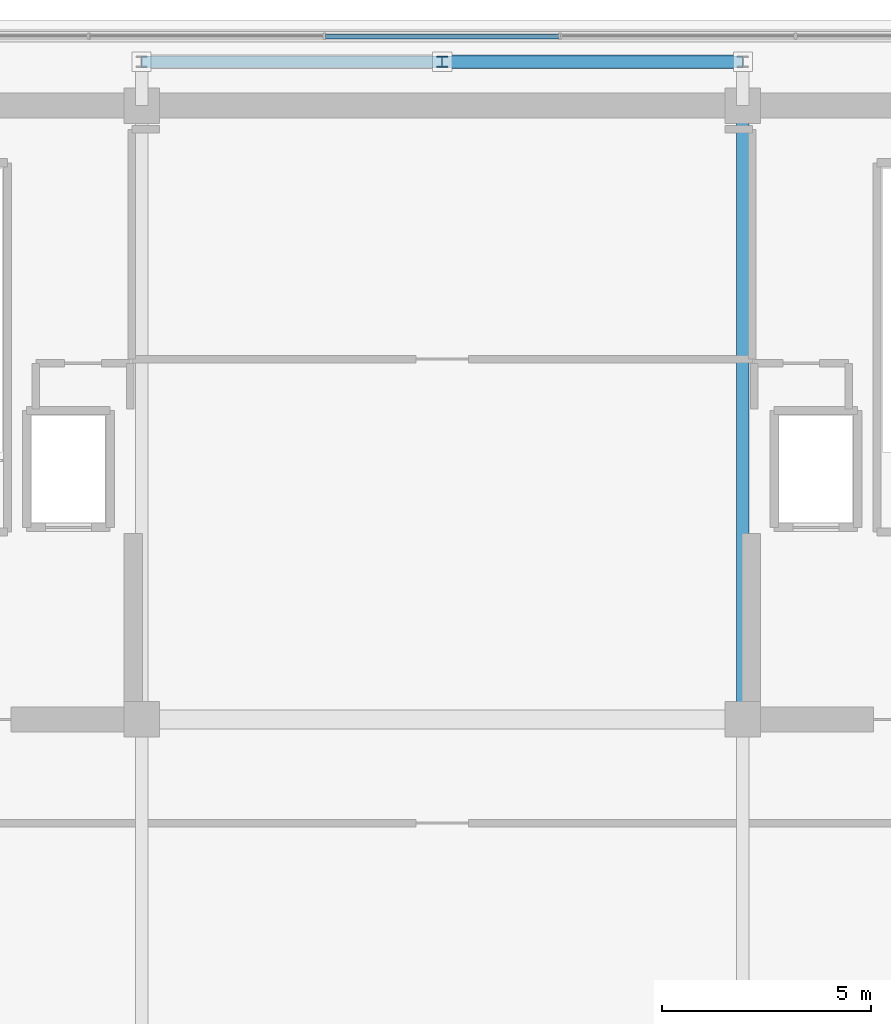
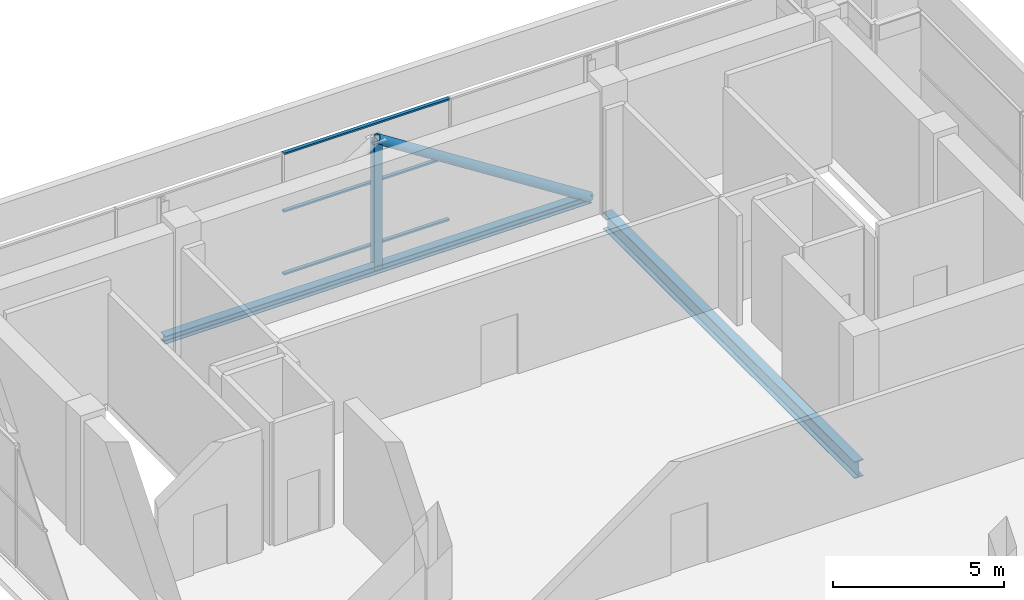
# One storey, part 15 of 22: 5 members, 2 beams, 1 element without a shape of its own.
"""IFC4 building model written with IfcOpenShell, lengths in metres."""

from ifc_helpers import new_model, si_unit, direction, frame, origin, origin_2d, place, context, subcontext, project, spatial, hollow_rectangle, hollow_circle, i_section, extrude, source, transform, mapped, material, layer, layer_set, material_profile, profile_set, type_object, element, aggregate, save


model = new_model("IFC4")

# Units and contexts
model_context = context("Model", 3, precision=1e-05, world=origin(), true_north=direction((0.0, 1.0)))
body_context = subcontext(model_context, "Body", "Model", "MODEL_VIEW")
ifc_project = project(units=[si_unit("LENGTHUNIT", "METRE"), si_unit("AREAUNIT", "SQUARE_METRE"), si_unit("VOLUMEUNIT", "CUBIC_METRE"), si_unit("PLANEANGLEUNIT", "RADIAN"), si_unit("MASSUNIT", "GRAM", prefix="KILO")], contexts=[model_context])

# Site, building, storey
site_placement = place(None, origin())
site = spatial("IfcSite", under=ifc_project, at=site_placement, CompositionType="ELEMENT")
building_placement = place(site_placement, origin())
building = spatial("IfcBuilding", under=site, at=building_placement, Name="Zarnakvel Exchange Tower", CompositionType="ELEMENT")
storey_placement = place(building_placement, frame((0.0, 0.0, 299.199951171875)))
storey = spatial("IfcBuildingStorey", under=building, at=storey_placement, Name="Crown L83", CompositionType="ELEMENT", Elevation=299.199951171875)

# Beams
ifc_material_1 = material(Name="Steel S355", Category="steel")
ifc_material_profile_1 = material_profile(ifc_material_1, i_section(OverallWidth=0.300048828125, OverallDepth=0.60009765625, WebThickness=0.015380859375, FlangeThickness=0.030029296875, FilletRadius=0.027099609375, at=origin_2d()))
ifc_profile_set_1 = profile_set([ifc_material_profile_1], Name="Steel S355")
beam_type_1 = type_object("IfcBeamType", Name="G-04", PredefinedType="BEAM", material=ifc_profile_set_1)
beam_1_placement = place(storey_placement, frame((7.199951171875, -1.199951171875, -0.52001953125), z_axis=(0.0, 1.0, 0.0), x_axis=(-1.0, 0.0, 0.0)))
element("IfcBeam", 1, at=beam_1_placement, inside=storey, type_object=beam_type_1, Name="Crown L83 Tower N-S Frame Beam", PredefinedType="BEAM", context=body_context, shape_type="SweptSolid", body=[
    extrude(i_section(OverallWidth=0.300048828125, OverallDepth=0.60009765625, WebThickness=0.015380859375, FlangeThickness=0.030029296875, FilletRadius=0.027099609375, at=origin_2d()), origin(), (0.0, 0.0, 1.0), 14.699951171875),
])
ifc_material_profile_2 = material_profile(ifc_material_1, i_section(OverallWidth=0.280029296875, OverallDepth=0.280029296875, WebThickness=0.010498046875, FlangeThickness=0.01806640625, FilletRadius=0.02392578125, at=origin_2d()))
ifc_profile_set_2 = profile_set([ifc_material_profile_2], Name="Steel S355")
beam_type_2 = type_object("IfcBeamType", Name="SP-04", PredefinedType="SPANDREL", material=ifc_profile_set_2)
beam_2_placement = place(storey_placement, frame((-7.199951171875, 14.550048828125, -0.35986328125), z_axis=(1.0, 0.0, 0.0), x_axis=(0.0, 1.0, 0.0)))
element("IfcBeam", 2, at=beam_2_placement, inside=storey, type_object=beam_type_2, Name="Crown L83 Tower E-W Frame Beam", PredefinedType="SPANDREL", context=body_context, shape_type="SweptSolid", body=[
    extrude(i_section(OverallWidth=0.280029296875, OverallDepth=0.280029296875, WebThickness=0.010498046875, FlangeThickness=0.01806640625, FilletRadius=0.02392578125, at=origin_2d()), origin(), (0.0, 0.0, 1.0), 14.39990234375),
])

# Members
ifc_material_profile_3 = material_profile(ifc_material_1, hollow_circle(Radius=0.161865234375, WallThickness=0.01611328125, at=origin_2d()))
ifc_profile_set_3 = profile_set([ifc_material_profile_3], Name="Steel S355")
member_type_1 = type_object("IfcMemberType", Name="CF-03", PredefinedType="BRACE", material=ifc_profile_set_3)
shared_shape_1 = source(origin(), body_context, "Body", "SweptSolid", [
    extrude(hollow_circle(Radius=0.161865234375, WallThickness=0.01611328125, at=origin_2d()), origin(), (0.0, 0.0, 1.0), 8.5439453125),
])
member_1_placement = place(storey_placement, frame((7.199951171875, 14.550048828125, -0.35986328125), z_axis=(-0.842702381832, 0.0, 0.53837969469), x_axis=(0.0, -1.0, 0.0)))
element("IfcMember", 3, at=member_1_placement, inside=storey, type_object=member_type_1, Name="Crown L83 Crown Chevron Brace R (CF-03)", PredefinedType="BRACE", context=body_context, shape_type="MappedRepresentation", body=[
    mapped(shared_shape_1, transform((0.0, 0.0, 0.0), x_axis=(1.0, 0.0, 0.0), y_axis=(0.0, 1.0, 0.0), z_axis=(0.0, 0.0, 1.0), scale=1.0)),
])
ifc_material_profile_4 = material_profile(ifc_material_1, i_section(OverallWidth=0.25634765625, OverallDepth=0.26025390625, WebThickness=0.01025390625, FlangeThickness=0.017333984375, FilletRadius=0.0126953125, at=origin_2d()))
ifc_profile_set_4 = profile_set([ifc_material_profile_4], Name="Steel S355")
member_type_2 = type_object("IfcMemberType", Name="CF-04", PredefinedType="STRUT", material=ifc_profile_set_4)
shared_shape_2 = source(origin(), body_context, "Body", "SweptSolid", [
    extrude(i_section(OverallWidth=0.25634765625, OverallDepth=0.26025390625, WebThickness=0.01025390625, FlangeThickness=0.017333984375, FilletRadius=0.0126953125, at=origin_2d()), origin(), (0.0, 0.0, 1.0), 4.599853515625),
])
member_2_placement = place(storey_placement, frame((0.0, 14.550048828125, -0.35986328125), z_axis=(0.0, 0.0, 1.0), x_axis=(1.0, 0.0, 0.0)))
element("IfcMember", 4, at=member_2_placement, inside=storey, type_object=member_type_2, Name="Crown L83 Crown Frame Post (CF-04)", PredefinedType="STRUT", context=body_context, shape_type="MappedRepresentation", body=[
    mapped(shared_shape_2, transform((0.0, 0.0, 0.0), x_axis=(1.0, 0.0, 0.0), y_axis=(0.0, 1.0, 0.0), z_axis=(0.0, 0.0, 1.0), scale=1.0)),
])

# Curtain wall, members
ifc_material_2 = material(Name="Architectural Bronze Anodised Aluminium", Category="aluminium")
ifc_layer = layer(ifc_material_2, 0.14990234375)
ifc_layer_set = layer_set([ifc_layer], Name="Architectural Bronze Anodised Aluminium")
curtain_wall_type = type_object("IfcCurtainWallType", Name="CW-07", PredefinedType="NOTDEFINED", material=ifc_layer_set)
curtain_wall_placement = place(storey_placement, origin())
curtain_wall = element("IfcCurtainWall", 5, at=curtain_wall_placement, inside=storey, type_object=curtain_wall_type, Name="Crown L83 Curtain Wall CW-Crown L83-N (CW-07)", PredefinedType="NOTDEFINED")
ifc_material_profile_5 = material_profile(ifc_material_2, hollow_rectangle(XDim=0.1201171875, YDim=0.06005859375, WallThickness=0.00390625, at=origin_2d()))
ifc_profile_set_5 = profile_set([ifc_material_profile_5], Name="Architectural Bronze Anodised Aluminium")
member_type_3 = type_object("IfcMemberType", Name="CWT-07", PredefinedType="USERDEFINED", material=ifc_profile_set_5)
shared_shape_3 = source(origin(), body_context, "Body", "SweptSolid", [
    extrude(hollow_rectangle(XDim=0.1201171875, YDim=0.06005859375, WallThickness=0.00390625, at=origin_2d()), origin(), (0.0, 0.0, 1.0), 5.580078125),
])
member_3_placement = place(storey_placement, frame((-2.7900390625, 15.159912109375, 0.030029296875), z_axis=(1.0, 0.0, 0.0), x_axis=(0.0, 1.0, 0.0)))
member_3 = element("IfcMember", 6, at=member_3_placement, type_object=member_type_3, Name="CW-07 transom 3.1", ObjectType="TRANSOM", PredefinedType="USERDEFINED", context=body_context, shape_type="MappedRepresentation", body=[
    mapped(shared_shape_3, transform((0.0, 0.0, 0.0), x_axis=(1.0, 0.0, 0.0), y_axis=(0.0, 1.0, 0.0), z_axis=(0.0, 0.0, 1.0), scale=1.0)),
])
member_4_placement = place(storey_placement, frame((-2.7900390625, 15.159912109375, 2.267333984375), z_axis=(1.0, 0.0, 0.0), x_axis=(0.0, 1.0, 0.0)))
member_4 = element("IfcMember", 7, at=member_4_placement, type_object=member_type_3, Name="CW-07 transom 3.2", ObjectType="TRANSOM", PredefinedType="USERDEFINED", context=body_context, shape_type="MappedRepresentation", body=[
    mapped(shared_shape_3, transform((0.0, 0.0, 0.0), x_axis=(1.0, 0.0, 0.0), y_axis=(0.0, 1.0, 0.0), z_axis=(0.0, 0.0, 1.0), scale=1.0)),
])
member_5_placement = place(storey_placement, frame((-2.7900390625, 15.159912109375, 4.330078125), z_axis=(1.0, 0.0, 0.0), x_axis=(0.0, 1.0, 0.0)))
member_5 = element("IfcMember", 8, at=member_5_placement, type_object=member_type_3, Name="CW-07 transom 3.3", ObjectType="TRANSOM", PredefinedType="USERDEFINED", context=body_context, shape_type="MappedRepresentation", body=[
    mapped(shared_shape_3, transform((0.0, 0.0, 0.0), x_axis=(1.0, 0.0, 0.0), y_axis=(0.0, 1.0, 0.0), z_axis=(0.0, 0.0, 1.0), scale=1.0)),
])
aggregate(curtain_wall, [member_3, member_4, member_5])

save(model, "model.ifc")
